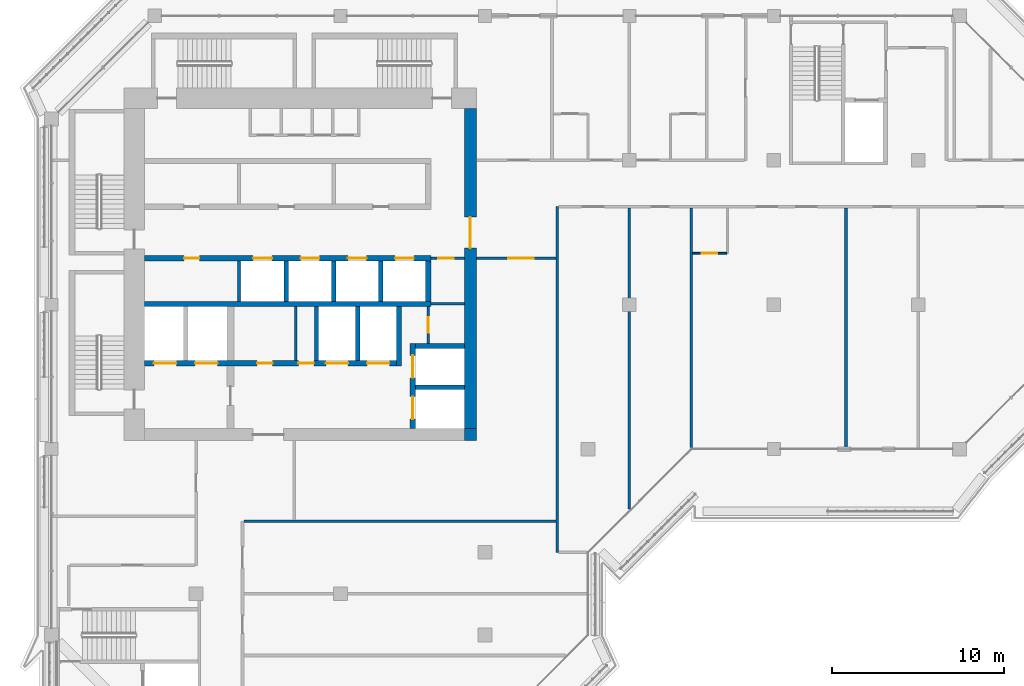
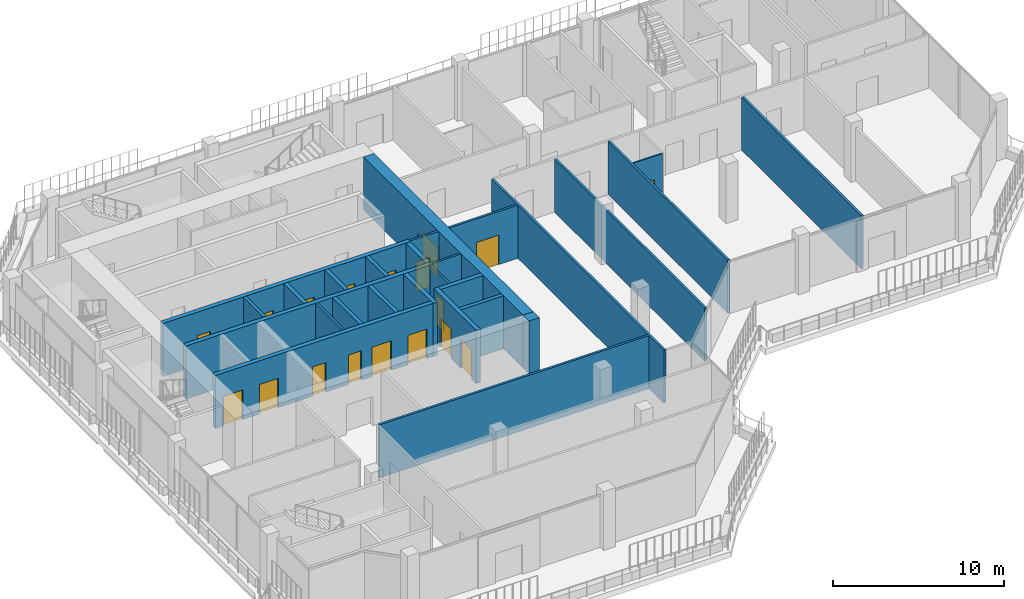
# One storey, part 10 of 20: 27 walls, 18 doors, 18 openings.
"""IFC4 building model written with IfcOpenShell, lengths in metres."""

from ifc_helpers import new_model, si_unit, direction, frame, frame_2d, origin, place, context, subcontext, project, spatial, rectangle, extrude, material, layer, layer_set, type_object, element, fill, save


model = new_model("IFC4")

# Units and contexts
model_context = context("Model", 3, precision=1e-05, world=origin(), true_north=direction((0.0, 1.0)))
body_context = subcontext(model_context, "Body", "Model", "MODEL_VIEW")
ifc_project = project(units=[si_unit("LENGTHUNIT", "METRE"), si_unit("AREAUNIT", "SQUARE_METRE"), si_unit("VOLUMEUNIT", "CUBIC_METRE"), si_unit("PLANEANGLEUNIT", "RADIAN"), si_unit("MASSUNIT", "GRAM", prefix="KILO")], contexts=[model_context])

# Site, building, storey
site_placement = place(None, origin())
site = spatial("IfcSite", under=ifc_project, at=site_placement, CompositionType="ELEMENT")
building_placement = place(site_placement, origin())
building = spatial("IfcBuilding", under=site, at=building_placement, Name="Kawkab Arch Medical Tower", CompositionType="ELEMENT")
storey_placement = place(building_placement, frame((0.0, 0.0, 328.0)))
storey = spatial("IfcBuildingStorey", under=building, at=storey_placement, Name="L76", CompositionType="ELEMENT", Elevation=328.0)

# Wall, opening, door
ifc_material_1 = material(Name="Concrete C50/60", Category="concrete")
ifc_layer_1 = layer(ifc_material_1, 0.699951171875)
ifc_layer_set_1 = layer_set([ifc_layer_1], Name="Concrete C50/60")
wall_type_1 = type_object("IfcWallType", Name="Core ring wall 700 C50/60", PredefinedType="SHEAR", material=ifc_layer_set_1)
wall_1_placement = place(storey_placement, frame((24.35009765625, -24.0, 0.0), z_axis=(0.0, 0.0, 1.0), x_axis=(0.0, 1.0, 0.0)))
wall_1 = element("IfcWall", 1, at=wall_1_placement, inside=storey, type_object=wall_type_1, Name="L76 core wall", PredefinedType="SHEAR", context=body_context, shape_type="SweptSolid", body=[
    extrude(rectangle(XDim=18.60009765625, YDim=0.699951171875, at=frame_2d((9.300048828125, 0.0))), origin(), (0.0, 0.0, 1.0), 3.780029296875),
])
opening_1_placement = place(wall_1_placement, frame((10.5, 0.0, 0.0)))
opening_1 = element("IfcOpeningElement", 2, at=opening_1_placement, cuts=wall_1, Name="Opening PD", PredefinedType="OPENING", context=body_context, shape_type="SweptSolid", body=[
    extrude(rectangle(XDim=1.800048828125, YDim=2.10009765625, at=frame_2d((0.89990234375, 1.050048828125))), frame((0.0, 0.35986328125, 0.0), z_axis=(0.0, -1.0, 0.0), x_axis=(1.0, 0.0, 0.0)), (0.0, 0.0, 1.0), 0.719970703125),
])
ifc_material_2 = material(Name="Hollow metal fire door leaf")
door_type_1 = type_object("IfcDoorType", Name="Core entrance doors 1800", OperationType="DOUBLE_DOOR_SINGLE_SWING", PredefinedType="DOOR", material=ifc_material_2)
door_1_placement = place(opening_1_placement, origin())
door_1 = element("IfcDoor", 3, at=door_1_placement, inside=storey, type_object=door_type_1, Name="L76 East entrance doors", OperationType="DOUBLE_DOOR_SINGLE_SWING", OverallHeight=2.10009765625, OverallWidth=1.800048828125, PredefinedType="DOOR", context=body_context, shape_type="SweptSolid", body=[
    extrude(rectangle(XDim=1.800048828125, YDim=2.10009765625, at=frame_2d((0.89990234375, 1.050048828125))), frame((0.0, 0.02490234375, 0.0), z_axis=(0.0, -1.0, 0.0), x_axis=(1.0, 0.0, 0.0)), (0.0, 0.0, 1.0), 0.050048828125),
])
fill(opening_1, door_1)

# Wall
wall_2_placement = place(storey_placement, frame((24.35009765625, -24.699951171875, 0.0), z_axis=(0.0, 0.0, 1.0), x_axis=(0.0, 1.0, 0.0)))
element("IfcWall", 4, at=wall_2_placement, inside=storey, type_object=wall_type_1, Name="L76 core wall", PredefinedType="SHEAR", context=body_context, shape_type="SweptSolid", body=[
    extrude(rectangle(XDim=0.699951171875, YDim=0.699951171875, at=frame_2d((0.35009765625, 0.0))), origin(), (0.0, 0.0, 1.0), 3.780029296875),
])

# Wall, opening, door
ifc_material_3 = material(Name="Gypsum board on steel studs", Category="steel")
ifc_layer_2 = layer(ifc_material_3, 0.14990234375)
ifc_layer_set_2 = layer_set([ifc_layer_2], Name="Gypsum board on steel studs")
wall_type_2 = type_object("IfcWallType", Name="Core room partition 150", PredefinedType="PARTITIONING", material=ifc_layer_set_2)
wall_3_placement = place(storey_placement, frame((21.89990234375, -19.050048828125, 0.0), z_axis=(0.0, 0.0, 1.0), x_axis=(0.0, 1.0, 0.0)))
wall_3 = element("IfcWall", 5, at=wall_3_placement, inside=storey, type_object=wall_type_2, Name="L76 core room partition", PredefinedType="PARTITIONING", context=body_context, shape_type="SweptSolid", body=[
    extrude(rectangle(XDim=2.150146484375, YDim=0.14990234375, at=frame_2d((1.0751953125, 0.0))), origin(), (0.0, 0.0, 1.0), 3.780029296875),
])
opening_2_placement = place(wall_3_placement, frame((0.625, 0.0, 0.0)))
opening_2 = element("IfcOpeningElement", 6, at=opening_2_placement, cuts=wall_3, Name="Opening RD", PredefinedType="OPENING", context=body_context, shape_type="SweptSolid", body=[
    extrude(rectangle(XDim=0.89990234375, YDim=2.10009765625, at=frame_2d((0.449951171875, 1.050048828125))), frame((0.0, 0.0849609375, 0.0), z_axis=(0.0, -1.0, 0.0), x_axis=(1.0, 0.0, 0.0)), (0.0, 0.0, 1.0), 0.169921875),
])
ifc_material_4 = material(Name="Hollow metal fire door leaf")
door_type_2 = type_object("IfcDoorType", Name="Core room door 900", OperationType="SINGLE_SWING_LEFT", PredefinedType="DOOR", material=ifc_material_4)
door_2_placement = place(opening_2_placement, origin())
door_2 = element("IfcDoor", 7, at=door_2_placement, inside=storey, type_object=door_type_2, Name="L76 Staff WC door", OperationType="SINGLE_SWING_LEFT", OverallHeight=2.10009765625, OverallWidth=0.89990234375, PredefinedType="DOOR", context=body_context, shape_type="SweptSolid", body=[
    extrude(rectangle(XDim=0.89990234375, YDim=2.10009765625, at=frame_2d((0.449951171875, 1.050048828125))), frame((0.0, 0.02490234375, 0.0), z_axis=(0.0, -1.0, 0.0), x_axis=(1.0, 0.0, 0.0)), (0.0, 0.0, 1.0), 0.050048828125),
])
fill(opening_2, door_2)

# Wall
wall_4_placement = place(storey_placement, frame((22.050048828125, -16.75, 0.0), z_axis=(0.0, 0.0, 1.0), x_axis=(1.0, 0.0, 0.0)))
element("IfcWall", 8, at=wall_4_placement, inside=storey, type_object=wall_type_2, Name="L76 core room partition", PredefinedType="PARTITIONING", context=body_context, shape_type="SweptSolid", body=[
    extrude(rectangle(XDim=1.949951171875, YDim=0.14990234375, at=frame_2d((0.97509765625, 0.0))), origin(), (0.0, 0.0, 1.0), 3.780029296875),
])

# Wall, opening, door
wall_5_placement = place(storey_placement, frame((22.050048828125, -14.10009765625, 0.0), z_axis=(0.0, 0.0, 1.0), x_axis=(1.0, 0.0, 0.0)))
wall_5 = element("IfcWall", 9, at=wall_5_placement, inside=storey, type_object=wall_type_2, Name="L76 core room partition", PredefinedType="PARTITIONING", context=body_context, shape_type="SweptSolid", body=[
    extrude(rectangle(XDim=1.949951171875, YDim=0.14990234375, at=frame_2d((0.97509765625, 0.0))), origin(), (0.0, 0.0, 1.0), 3.780029296875),
])
opening_3_placement = place(wall_5_placement, frame((0.449951171875, 0.0, 0.0)))
opening_3 = element("IfcOpeningElement", 10, at=opening_3_placement, cuts=wall_5, Name="Opening RD", PredefinedType="OPENING", context=body_context, shape_type="SweptSolid", body=[
    extrude(rectangle(XDim=0.89990234375, YDim=2.10009765625, at=frame_2d((0.449951171875, 1.050048828125))), frame((0.0, 0.0849609375, 0.0), z_axis=(0.0, -1.0, 0.0), x_axis=(1.0, 0.0, 0.0)), (0.0, 0.0, 1.0), 0.169921875),
])
door_3_placement = place(opening_3_placement, origin())
door_3 = element("IfcDoor", 11, at=door_3_placement, inside=storey, type_object=door_type_2, Name="L76 UPS room door", OperationType="SINGLE_SWING_LEFT", OverallHeight=2.10009765625, OverallWidth=0.89990234375, PredefinedType="DOOR", context=body_context, shape_type="SweptSolid", body=[
    extrude(rectangle(XDim=0.89990234375, YDim=2.10009765625, at=frame_2d((0.449951171875, 1.050048828125))), frame((0.0, 0.02490234375, 0.0), z_axis=(0.0, -1.0, 0.0), x_axis=(1.0, 0.0, 0.0)), (0.0, 0.0, 1.0), 0.050048828125),
])
fill(opening_3, door_3)

# Walls
wall_6_placement = place(storey_placement, frame((14.199951171875, -20.050048828125, 0.0), z_axis=(0.0, 0.0, 1.0), x_axis=(0.0, 1.0, 0.0)))
element("IfcWall", 12, at=wall_6_placement, inside=storey, type_object=wall_type_2, Name="L76 core room partition", PredefinedType="PARTITIONING", context=body_context, shape_type="SweptSolid", body=[
    extrude(rectangle(XDim=3.150146484375, YDim=0.14990234375, at=frame_2d((1.5751953125, 0.0))), origin(), (0.0, 0.0, 1.0), 3.780029296875),
])
ifc_material_5 = material(Name="Concrete C60/75", Category="concrete")
ifc_layer_3 = layer(ifc_material_5, 0.25)
ifc_layer_set_3 = layer_set([ifc_layer_3], Name="Concrete C60/75")
wall_type_3 = type_object("IfcWallType", Name="Core shear wall 250 C60/75", PredefinedType="SHEAR", material=ifc_layer_set_3)
wall_7_placement = place(storey_placement, frame((21.14990234375, -21.60009765625, 0.0), z_axis=(0.0, 0.0, 1.0), x_axis=(1.0, 0.0, 0.0)))
element("IfcWall", 13, at=wall_7_placement, inside=storey, type_object=wall_type_3, Name="L76 core shear wall", PredefinedType="SHEAR", context=body_context, shape_type="SweptSolid", body=[
    extrude(rectangle(XDim=2.85009765625, YDim=0.25, at=frame_2d((1.425048828125, 0.0))), origin(), (0.0, 0.0, 1.0), 3.780029296875),
])
for number, where, z_axis, x_axis, name in (
    (14, (15.39990234375, -20.050048828125, 0.0), (0.0, 0.0, 1.0), (0.0, 1.0, 0.0), "L76 core shear wall"),
    (15, (17.800048828125, -20.050048828125, 0.0), (0.0, 0.0, 1.0), (0.0, 1.0, 0.0), "L76 core shear wall"),
):
    element("IfcWall", number, at=place(storey_placement, frame(where, z_axis=z_axis, x_axis=x_axis)), inside=storey, type_object=wall_type_3, Name=name, PredefinedType="SHEAR", context=body_context, shape_type="SweptSolid", body=[
        extrude(rectangle(XDim=3.150146484375, YDim=0.25, at=frame_2d((1.5751953125, 0.0))), origin(), (0.0, 0.0, 1.0), 3.780029296875),
    ])
for number, where, z_axis, x_axis, name in (
    (16, (13.64990234375, -16.60009765625, 0.0), (0.0, 0.0, 1.0), (0.0, 1.0, 0.0), "L76 core shear wall"),
    (17, (16.39990234375, -16.60009765625, 0.0), (0.0, 0.0, 1.0), (0.0, 1.0, 0.0), "L76 core shear wall"),
    (18, (19.14990234375, -16.60009765625, 0.0), (0.0, 0.0, 1.0), (0.0, 1.0, 0.0), "L76 core shear wall"),
):
    element("IfcWall", number, at=place(storey_placement, frame(where, z_axis=z_axis, x_axis=x_axis)), inside=storey, type_object=wall_type_3, Name=name, PredefinedType="SHEAR", context=body_context, shape_type="SweptSolid", body=[
        extrude(rectangle(XDim=2.35009765625, YDim=0.25, at=frame_2d((1.175048828125, 0.0))), origin(), (0.0, 0.0, 1.0), 3.780029296875),
    ])

# Wall, openings, doors
ifc_material_6 = material(Name="Concrete C60/75", Category="concrete")
ifc_layer_4 = layer(ifc_material_6, 0.300048828125)
ifc_layer_set_4 = layer_set([ifc_layer_4], Name="Concrete C60/75")
wall_type_4 = type_object("IfcWallType", Name="Core shear wall 300 C60/75", PredefinedType="SHEAR", material=ifc_layer_set_4)
wall_8_placement = place(storey_placement, frame((5.39990234375, -14.10009765625, 0.0), z_axis=(0.0, 0.0, 1.0), x_axis=(1.0, 0.0, 0.0)))
wall_8 = element("IfcWall", 19, at=wall_8_placement, inside=storey, type_object=wall_type_4, Name="L76 core shear wall", PredefinedType="SHEAR", context=body_context, shape_type="SweptSolid", body=[
    extrude(rectangle(XDim=16.650146484375, YDim=0.300048828125, at=frame_2d((8.3251953125, 0.0))), origin(), (0.0, 0.0, 1.0), 3.780029296875),
])
opening_4_placement = place(wall_8_placement, frame((6.324951171875, 0.0, 0.0)))
opening_4 = element("IfcOpeningElement", 20, at=opening_4_placement, cuts=wall_8, Name="Opening LD1", PredefinedType="OPENING", context=body_context, shape_type="SweptSolid", body=[
    extrude(rectangle(XDim=1.10009765625, YDim=2.10009765625, at=frame_2d((0.550048828125, 1.050048828125))), frame((0.0, 0.159912109375, 0.0), z_axis=(0.0, -1.0, 0.0), x_axis=(1.0, 0.0, 0.0)), (0.0, 0.0, 1.0), 0.320068359375),
])
opening_5_placement = place(wall_8_placement, frame((9.074951171875, 0.0, 0.0)))
opening_5 = element("IfcOpeningElement", 21, at=opening_5_placement, cuts=wall_8, Name="Opening LD1", PredefinedType="OPENING", context=body_context, shape_type="SweptSolid", body=[
    extrude(rectangle(XDim=1.10009765625, YDim=2.10009765625, at=frame_2d((0.550048828125, 1.050048828125))), frame((0.0, 0.159912109375, 0.0), z_axis=(0.0, -1.0, 0.0), x_axis=(1.0, 0.0, 0.0)), (0.0, 0.0, 1.0), 0.320068359375),
])
opening_6_placement = place(wall_8_placement, frame((11.824951171875, 0.0, 0.0)))
opening_6 = element("IfcOpeningElement", 22, at=opening_6_placement, cuts=wall_8, Name="Opening LD1", PredefinedType="OPENING", context=body_context, shape_type="SweptSolid", body=[
    extrude(rectangle(XDim=1.10009765625, YDim=2.10009765625, at=frame_2d((0.550048828125, 1.050048828125))), frame((0.0, 0.159912109375, 0.0), z_axis=(0.0, -1.0, 0.0), x_axis=(1.0, 0.0, 0.0)), (0.0, 0.0, 1.0), 0.320068359375),
])
opening_7_placement = place(wall_8_placement, frame((14.574951171875, 0.0, 0.0)))
opening_7 = element("IfcOpeningElement", 23, at=opening_7_placement, cuts=wall_8, Name="Opening LD1", PredefinedType="OPENING", context=body_context, shape_type="SweptSolid", body=[
    extrude(rectangle(XDim=1.10009765625, YDim=2.10009765625, at=frame_2d((0.550048828125, 1.050048828125))), frame((0.0, 0.159912109375, 0.0), z_axis=(0.0, -1.0, 0.0), x_axis=(1.0, 0.0, 0.0)), (0.0, 0.0, 1.0), 0.320068359375),
])
opening_8_placement = place(wall_8_placement, frame((2.300048828125, 0.0, 0.0)))
opening_8 = element("IfcOpeningElement", 24, at=opening_8_placement, cuts=wall_8, Name="Opening RD", PredefinedType="OPENING", context=body_context, shape_type="SweptSolid", body=[
    extrude(rectangle(XDim=0.89990234375, YDim=2.10009765625, at=frame_2d((0.449951171875, 1.050048828125))), frame((0.0, 0.159912109375, 0.0), z_axis=(0.0, -1.0, 0.0), x_axis=(1.0, 0.0, 0.0)), (0.0, 0.0, 1.0), 0.320068359375),
])
door_4_placement = place(opening_8_placement, origin())
door_4 = element("IfcDoor", 25, at=door_4_placement, inside=storey, type_object=door_type_2, Name="L76 General store door", OperationType="SINGLE_SWING_LEFT", OverallHeight=2.10009765625, OverallWidth=0.89990234375, PredefinedType="DOOR", context=body_context, shape_type="SweptSolid", body=[
    extrude(rectangle(XDim=0.89990234375, YDim=2.10009765625, at=frame_2d((0.449951171875, 1.050048828125))), frame((0.0, 0.02490234375, 0.0), z_axis=(0.0, -1.0, 0.0), x_axis=(1.0, 0.0, 0.0)), (0.0, 0.0, 1.0), 0.050048828125),
])
fill(opening_8, door_4)
ifc_material_7 = material(Name="Stainless steel lift door leaf", Category="steel")
door_type_3 = type_object("IfcDoorType", Name="Lift landing door 1100", OperationType="DOUBLE_DOOR_SLIDING", PredefinedType="DOOR", material=ifc_material_7)
door_5_placement = place(opening_4_placement, origin())
door_5 = element("IfcDoor", 26, at=door_5_placement, inside=storey, type_object=door_type_3, Name="L76 Lift landing door HP1", OperationType="DOUBLE_DOOR_SLIDING", OverallHeight=2.10009765625, OverallWidth=1.10009765625, PredefinedType="DOOR", context=body_context, shape_type="SweptSolid", body=[
    extrude(rectangle(XDim=1.10009765625, YDim=2.10009765625, at=frame_2d((0.550048828125, 1.050048828125))), frame((0.0, 0.02490234375, 0.0), z_axis=(0.0, -1.0, 0.0), x_axis=(1.0, 0.0, 0.0)), (0.0, 0.0, 1.0), 0.050048828125),
])
fill(opening_4, door_5)
door_6_placement = place(opening_5_placement, origin())
door_6 = element("IfcDoor", 27, at=door_6_placement, inside=storey, type_object=door_type_3, Name="L76 Lift landing door HP2", OperationType="DOUBLE_DOOR_SLIDING", OverallHeight=2.10009765625, OverallWidth=1.10009765625, PredefinedType="DOOR", context=body_context, shape_type="SweptSolid", body=[
    extrude(rectangle(XDim=1.10009765625, YDim=2.10009765625, at=frame_2d((0.550048828125, 1.050048828125))), frame((0.0, 0.02490234375, 0.0), z_axis=(0.0, -1.0, 0.0), x_axis=(1.0, 0.0, 0.0)), (0.0, 0.0, 1.0), 0.050048828125),
])
fill(opening_5, door_6)
door_7_placement = place(opening_6_placement, origin())
door_7 = element("IfcDoor", 28, at=door_7_placement, inside=storey, type_object=door_type_3, Name="L76 Lift landing door HP3", OperationType="DOUBLE_DOOR_SLIDING", OverallHeight=2.10009765625, OverallWidth=1.10009765625, PredefinedType="DOOR", context=body_context, shape_type="SweptSolid", body=[
    extrude(rectangle(XDim=1.10009765625, YDim=2.10009765625, at=frame_2d((0.550048828125, 1.050048828125))), frame((0.0, 0.02490234375, 0.0), z_axis=(0.0, -1.0, 0.0), x_axis=(1.0, 0.0, 0.0)), (0.0, 0.0, 1.0), 0.050048828125),
])
fill(opening_6, door_7)
door_8_placement = place(opening_7_placement, origin())
door_8 = element("IfcDoor", 29, at=door_8_placement, inside=storey, type_object=door_type_3, Name="L76 Lift landing door HP4", OperationType="DOUBLE_DOOR_SLIDING", OverallHeight=2.10009765625, OverallWidth=1.10009765625, PredefinedType="DOOR", context=body_context, shape_type="SweptSolid", body=[
    extrude(rectangle(XDim=1.10009765625, YDim=2.10009765625, at=frame_2d((0.550048828125, 1.050048828125))), frame((0.0, 0.02490234375, 0.0), z_axis=(0.0, -1.0, 0.0), x_axis=(1.0, 0.0, 0.0)), (0.0, 0.0, 1.0), 0.050048828125),
])
fill(opening_7, door_8)

# Wall
wall_9_placement = place(storey_placement, frame((5.39990234375, -16.75, 0.0), z_axis=(0.0, 0.0, 1.0), x_axis=(1.0, 0.0, 0.0)))
element("IfcWall", 30, at=wall_9_placement, inside=storey, type_object=wall_type_4, Name="L76 core shear wall", PredefinedType="SHEAR", context=body_context, shape_type="SweptSolid", body=[
    extrude(rectangle(XDim=16.650146484375, YDim=0.300048828125, at=frame_2d((8.3251953125, 0.0))), origin(), (0.0, 0.0, 1.0), 3.780029296875),
])

# Wall, openings, doors
wall_10_placement = place(storey_placement, frame((5.39990234375, -20.199951171875, 0.0), z_axis=(0.0, 0.0, 1.0), x_axis=(1.0, 0.0, 0.0)))
wall_10 = element("IfcWall", 31, at=wall_10_placement, inside=storey, type_object=wall_type_4, Name="L76 core shear wall", PredefinedType="SHEAR", context=body_context, shape_type="SweptSolid", body=[
    extrude(rectangle(XDim=14.650146484375, YDim=0.300048828125, at=frame_2d((7.3251953125, 0.0))), origin(), (0.0, 0.0, 1.0), 3.780029296875),
])
opening_9_placement = place(wall_10_placement, frame((10.550048828125, 0.0, 0.0)))
opening_9 = element("IfcOpeningElement", 32, at=opening_9_placement, cuts=wall_10, Name="Opening LD2", PredefinedType="OPENING", context=body_context, shape_type="SweptSolid", body=[
    extrude(rectangle(XDim=1.300048828125, YDim=2.10009765625, at=frame_2d((0.64990234375, 1.050048828125))), frame((0.0, 0.159912109375, 0.0), z_axis=(0.0, -1.0, 0.0), x_axis=(1.0, 0.0, 0.0)), (0.0, 0.0, 1.0), 0.320068359375),
])
opening_10_placement = place(wall_10_placement, frame((12.949951171875, 0.0, 0.0)))
opening_10 = element("IfcOpeningElement", 33, at=opening_10_placement, cuts=wall_10, Name="Opening LD2", PredefinedType="OPENING", context=body_context, shape_type="SweptSolid", body=[
    extrude(rectangle(XDim=1.300048828125, YDim=2.10009765625, at=frame_2d((0.64990234375, 1.050048828125))), frame((0.0, 0.159912109375, 0.0), z_axis=(0.0, -1.0, 0.0), x_axis=(1.0, 0.0, 0.0)), (0.0, 0.0, 1.0), 0.320068359375),
])
opening_11_placement = place(wall_10_placement, frame((0.550048828125, 0.0, 0.0)))
opening_11 = element("IfcOpeningElement", 34, at=opening_11_placement, cuts=wall_10, Name="Opening LD2", PredefinedType="OPENING", context=body_context, shape_type="SweptSolid", body=[
    extrude(rectangle(XDim=1.300048828125, YDim=2.10009765625, at=frame_2d((0.64990234375, 1.050048828125))), frame((0.0, 0.159912109375, 0.0), z_axis=(0.0, -1.0, 0.0), x_axis=(1.0, 0.0, 0.0)), (0.0, 0.0, 1.0), 0.320068359375),
])
opening_12_placement = place(wall_10_placement, frame((2.949951171875, 0.0, 0.0)))
opening_12 = element("IfcOpeningElement", 35, at=opening_12_placement, cuts=wall_10, Name="Opening LD2", PredefinedType="OPENING", context=body_context, shape_type="SweptSolid", body=[
    extrude(rectangle(XDim=1.300048828125, YDim=2.10009765625, at=frame_2d((0.64990234375, 1.050048828125))), frame((0.0, 0.159912109375, 0.0), z_axis=(0.0, -1.0, 0.0), x_axis=(1.0, 0.0, 0.0)), (0.0, 0.0, 1.0), 0.320068359375),
])
opening_13_placement = place(wall_10_placement, frame((6.550048828125, 0.0, 0.0)))
opening_13 = element("IfcOpeningElement", 36, at=opening_13_placement, cuts=wall_10, Name="Opening RD", PredefinedType="OPENING", context=body_context, shape_type="SweptSolid", body=[
    extrude(rectangle(XDim=0.89990234375, YDim=2.10009765625, at=frame_2d((0.449951171875, 1.050048828125))), frame((0.0, 0.159912109375, 0.0), z_axis=(0.0, -1.0, 0.0), x_axis=(1.0, 0.0, 0.0)), (0.0, 0.0, 1.0), 0.320068359375),
])
opening_14_placement = place(wall_10_placement, frame((8.949951171875, 0.0, 0.0)))
opening_14 = element("IfcOpeningElement", 37, at=opening_14_placement, cuts=wall_10, Name="Opening RD", PredefinedType="OPENING", context=body_context, shape_type="SweptSolid", body=[
    extrude(rectangle(XDim=0.89990234375, YDim=2.10009765625, at=frame_2d((0.449951171875, 1.050048828125))), frame((0.0, 0.159912109375, 0.0), z_axis=(0.0, -1.0, 0.0), x_axis=(1.0, 0.0, 0.0)), (0.0, 0.0, 1.0), 0.320068359375),
])
door_9_placement = place(opening_13_placement, origin())
door_9 = element("IfcDoor", 38, at=door_9_placement, inside=storey, type_object=door_type_2, Name="L76 Medication store door", OperationType="SINGLE_SWING_LEFT", OverallHeight=2.10009765625, OverallWidth=0.89990234375, PredefinedType="DOOR", context=body_context, shape_type="SweptSolid", body=[
    extrude(rectangle(XDim=0.89990234375, YDim=2.10009765625, at=frame_2d((0.449951171875, 1.050048828125))), frame((0.0, 0.02490234375, 0.0), z_axis=(0.0, -1.0, 0.0), x_axis=(1.0, 0.0, 0.0)), (0.0, 0.0, 1.0), 0.050048828125),
])
fill(opening_13, door_9)
door_10_placement = place(opening_14_placement, origin())
door_10 = element("IfcDoor", 39, at=door_10_placement, inside=storey, type_object=door_type_2, Name="L76 Clean utility room door", OperationType="SINGLE_SWING_LEFT", OverallHeight=2.10009765625, OverallWidth=0.89990234375, PredefinedType="DOOR", context=body_context, shape_type="SweptSolid", body=[
    extrude(rectangle(XDim=0.89990234375, YDim=2.10009765625, at=frame_2d((0.449951171875, 1.050048828125))), frame((0.0, 0.02490234375, 0.0), z_axis=(0.0, -1.0, 0.0), x_axis=(1.0, 0.0, 0.0)), (0.0, 0.0, 1.0), 0.050048828125),
])
fill(opening_14, door_10)
ifc_material_8 = material(Name="Stainless steel lift door leaf", Category="steel")
door_type_4 = type_object("IfcDoorType", Name="Lift landing door 1300", OperationType="DOUBLE_DOOR_SLIDING", PredefinedType="DOOR", material=ifc_material_8)
door_11_placement = place(opening_9_placement, origin())
door_11 = element("IfcDoor", 40, at=door_11_placement, inside=storey, type_object=door_type_4, Name="L76 Lift landing door BD3", OperationType="DOUBLE_DOOR_SLIDING", OverallHeight=2.10009765625, OverallWidth=1.300048828125, PredefinedType="DOOR", context=body_context, shape_type="SweptSolid", body=[
    extrude(rectangle(XDim=1.300048828125, YDim=2.10009765625, at=frame_2d((0.64990234375, 1.050048828125))), frame((0.0, 0.02490234375, 0.0), z_axis=(0.0, -1.0, 0.0), x_axis=(1.0, 0.0, 0.0)), (0.0, 0.0, 1.0), 0.050048828125),
])
fill(opening_9, door_11)
door_12_placement = place(opening_10_placement, origin())
door_12 = element("IfcDoor", 41, at=door_12_placement, inside=storey, type_object=door_type_4, Name="L76 Lift landing door BD4", OperationType="DOUBLE_DOOR_SLIDING", OverallHeight=2.10009765625, OverallWidth=1.300048828125, PredefinedType="DOOR", context=body_context, shape_type="SweptSolid", body=[
    extrude(rectangle(XDim=1.300048828125, YDim=2.10009765625, at=frame_2d((0.64990234375, 1.050048828125))), frame((0.0, 0.02490234375, 0.0), z_axis=(0.0, -1.0, 0.0), x_axis=(1.0, 0.0, 0.0)), (0.0, 0.0, 1.0), 0.050048828125),
])
fill(opening_10, door_12)
door_13_placement = place(opening_11_placement, origin())
door_13 = element("IfcDoor", 42, at=door_13_placement, inside=storey, type_object=door_type_4, Name="L76 Lift landing door FL1", OperationType="DOUBLE_DOOR_SLIDING", OverallHeight=2.10009765625, OverallWidth=1.300048828125, PredefinedType="DOOR", context=body_context, shape_type="SweptSolid", body=[
    extrude(rectangle(XDim=1.300048828125, YDim=2.10009765625, at=frame_2d((0.64990234375, 1.050048828125))), frame((0.0, 0.02490234375, 0.0), z_axis=(0.0, -1.0, 0.0), x_axis=(1.0, 0.0, 0.0)), (0.0, 0.0, 1.0), 0.050048828125),
])
fill(opening_11, door_13)
door_14_placement = place(opening_12_placement, origin())
door_14 = element("IfcDoor", 43, at=door_14_placement, inside=storey, type_object=door_type_4, Name="L76 Lift landing door FL2", OperationType="DOUBLE_DOOR_SLIDING", OverallHeight=2.10009765625, OverallWidth=1.300048828125, PredefinedType="DOOR", context=body_context, shape_type="SweptSolid", body=[
    extrude(rectangle(XDim=1.300048828125, YDim=2.10009765625, at=frame_2d((0.64990234375, 1.050048828125))), frame((0.0, 0.02490234375, 0.0), z_axis=(0.0, -1.0, 0.0), x_axis=(1.0, 0.0, 0.0)), (0.0, 0.0, 1.0), 0.050048828125),
])
fill(opening_12, door_14)

# Walls
wall_11_placement = place(storey_placement, frame((20.199951171875, -20.35009765625, 0.0), z_axis=(0.0, 0.0, 1.0), x_axis=(0.0, 1.0, 0.0)))
element("IfcWall", 44, at=wall_11_placement, inside=storey, type_object=wall_type_4, Name="L76 core shear wall", PredefinedType="SHEAR", context=body_context, shape_type="SweptSolid", body=[
    extrude(rectangle(XDim=3.4501953125, YDim=0.300048828125, at=frame_2d((1.72509765625, 0.0))), origin(), (0.0, 0.0, 1.0), 3.780029296875),
])
wall_12_placement = place(storey_placement, frame((21.89990234375, -16.60009765625, 0.0), z_axis=(0.0, 0.0, 1.0), x_axis=(0.0, 1.0, 0.0)))
element("IfcWall", 45, at=wall_12_placement, inside=storey, type_object=wall_type_4, Name="L76 core shear wall", PredefinedType="SHEAR", context=body_context, shape_type="SweptSolid", body=[
    extrude(rectangle(XDim=2.35009765625, YDim=0.300048828125, at=frame_2d((1.175048828125, 0.0))), origin(), (0.0, 0.0, 1.0), 3.780029296875),
])
wall_13_placement = place(storey_placement, frame((21.14990234375, -19.199951171875, 0.0), z_axis=(0.0, 0.0, 1.0), x_axis=(1.0, 0.0, 0.0)))
element("IfcWall", 46, at=wall_13_placement, inside=storey, type_object=wall_type_4, Name="L76 core shear wall", PredefinedType="SHEAR", context=body_context, shape_type="SweptSolid", body=[
    extrude(rectangle(XDim=2.85009765625, YDim=0.300048828125, at=frame_2d((1.425048828125, 0.0))), origin(), (0.0, 0.0, 1.0), 3.780029296875),
])

# Wall, openings, doors
wall_14_placement = place(storey_placement, frame((21.0, -24.0, 0.0), z_axis=(0.0, 0.0, 1.0), x_axis=(0.0, 1.0, 0.0)))
wall_14 = element("IfcWall", 47, at=wall_14_placement, inside=storey, type_object=wall_type_4, Name="L76 core shear wall", PredefinedType="SHEAR", context=body_context, shape_type="SweptSolid", body=[
    extrude(rectangle(XDim=4.949951171875, YDim=0.300048828125, at=frame_2d((2.47509765625, 0.0))), origin(), (0.0, 0.0, 1.0), 3.780029296875),
])
opening_15_placement = place(wall_14_placement, frame((2.949951171875, 0.0, 0.0)))
opening_15 = element("IfcOpeningElement", 48, at=opening_15_placement, cuts=wall_14, Name="Opening LD2", PredefinedType="OPENING", context=body_context, shape_type="SweptSolid", body=[
    extrude(rectangle(XDim=1.300048828125, YDim=2.10009765625, at=frame_2d((0.64990234375, 1.050048828125))), frame((0.0, 0.159912109375, 0.0), z_axis=(0.0, -1.0, 0.0), x_axis=(1.0, 0.0, 0.0)), (0.0, 0.0, 1.0), 0.320068359375),
])
opening_16_placement = place(wall_14_placement, frame((0.550048828125, 0.0, 0.0)))
opening_16 = element("IfcOpeningElement", 49, at=opening_16_placement, cuts=wall_14, Name="Opening LD2", PredefinedType="OPENING", context=body_context, shape_type="SweptSolid", body=[
    extrude(rectangle(XDim=1.300048828125, YDim=2.10009765625, at=frame_2d((0.64990234375, 1.050048828125))), frame((0.0, 0.159912109375, 0.0), z_axis=(0.0, -1.0, 0.0), x_axis=(1.0, 0.0, 0.0)), (0.0, 0.0, 1.0), 0.320068359375),
])
door_15_placement = place(opening_15_placement, origin())
door_15 = element("IfcDoor", 50, at=door_15_placement, inside=storey, type_object=door_type_4, Name="L76 Lift landing door BD1", OperationType="DOUBLE_DOOR_SLIDING", OverallHeight=2.10009765625, OverallWidth=1.300048828125, PredefinedType="DOOR", context=body_context, shape_type="SweptSolid", body=[
    extrude(rectangle(XDim=1.300048828125, YDim=2.10009765625, at=frame_2d((0.64990234375, 1.050048828125))), frame((0.0, 0.02490234375, 0.0), z_axis=(0.0, -1.0, 0.0), x_axis=(1.0, 0.0, 0.0)), (0.0, 0.0, 1.0), 0.050048828125),
])
fill(opening_15, door_15)
door_16_placement = place(opening_16_placement, origin())
door_16 = element("IfcDoor", 51, at=door_16_placement, inside=storey, type_object=door_type_4, Name="L76 Lift landing door BD2", OperationType="DOUBLE_DOOR_SLIDING", OverallHeight=2.10009765625, OverallWidth=1.300048828125, PredefinedType="DOOR", context=body_context, shape_type="SweptSolid", body=[
    extrude(rectangle(XDim=1.300048828125, YDim=2.10009765625, at=frame_2d((0.64990234375, 1.050048828125))), frame((0.0, 0.02490234375, 0.0), z_axis=(0.0, -1.0, 0.0), x_axis=(1.0, 0.0, 0.0)), (0.0, 0.0, 1.0), 0.050048828125),
])
fill(opening_16, door_16)

# Wall
ifc_material_9 = material(Name="Dense concrete blockwork", Category="masonry")
ifc_layer_5 = layer(ifc_material_9, 0.199951171875)
ifc_layer_set_5 = layer_set([ifc_layer_5], Name="Dense concrete blockwork")
wall_type_5 = type_object("IfcWallType", Name="Lift shaft partition 200", PredefinedType="PARTITIONING", material=ifc_layer_set_5)
wall_15_placement = place(storey_placement, frame((10.89990234375, -16.60009765625, 0.0), z_axis=(0.0, 0.0, 1.0), x_axis=(0.0, 1.0, 0.0)))
element("IfcWall", 52, at=wall_15_placement, inside=storey, type_object=wall_type_5, Name="L76 lift shaft partition", PredefinedType="PARTITIONING", context=body_context, shape_type="SweptSolid", body=[
    extrude(rectangle(XDim=2.35009765625, YDim=0.199951171875, at=frame_2d((1.175048828125, 0.0))), origin(), (0.0, 0.0, 1.0), 3.780029296875),
])

# Wall, opening, door
ifc_material_10 = material(Name="Gypsum board partition on steel studs", Category="steel")
ifc_layer_6 = layer(ifc_material_10, 0.10009765625)
ifc_layer_set_6 = layer_set([ifc_layer_6], Name="Gypsum board partition on steel studs")
wall_type_6 = type_object("IfcWallType", Name="Partition 100", PredefinedType="PARTITIONING", material=ifc_layer_set_6)
wall_16_placement = place(storey_placement, frame((37.27490234375, -13.800048828125, 0.0), z_axis=(0.0, 0.0, 1.0), x_axis=(1.0, 0.0, 0.0)))
wall_16 = element("IfcWall", 53, at=wall_16_placement, inside=storey, type_object=wall_type_6, Name="Partition 100 w001", PredefinedType="PARTITIONING", context=body_context, shape_type="SweptSolid", body=[
    extrude(rectangle(XDim=1.97509765625, YDim=0.10009765625, at=frame_2d((0.987548828125, 0.0))), origin(), (0.0, 0.0, 1.0), 3.780029296875),
])
opening_17_placement = place(wall_16_placement, frame((0.52490234375, 0.0, 0.0)))
opening_17 = element("IfcOpeningElement", 54, at=opening_17_placement, cuts=wall_16, Name="Opening W71-006", PredefinedType="OPENING", context=body_context, shape_type="SweptSolid", body=[
    extrude(rectangle(XDim=0.89990234375, YDim=2.10009765625, at=frame_2d((0.449951171875, 1.050048828125))), frame((0.0, 0.06005859375, 0.0), z_axis=(0.0, -1.0, 0.0), x_axis=(1.0, 0.0, 0.0)), (0.0, 0.0, 1.0), 0.1201171875),
])
ifc_material_11 = material(Name="Timber door leaf", Category="wood")
door_type_5 = type_object("IfcDoorType", Name="Single door 900x2100", OperationType="NOTDEFINED", PredefinedType="DOOR", material=ifc_material_11)
door_17_placement = place(opening_17_placement, origin())
door_17 = element("IfcDoor", 55, at=door_17_placement, inside=storey, type_object=door_type_5, Name="Door W71-006", OperationType="SINGLE_SWING_RIGHT", OverallHeight=2.10009765625, OverallWidth=0.89990234375, PredefinedType="DOOR", context=body_context, shape_type="SweptSolid", body=[
    extrude(rectangle(XDim=0.89990234375, YDim=2.10009765625, at=frame_2d((0.449951171875, 1.050048828125))), frame((0.0, 0.02490234375, 0.0), z_axis=(0.0, -1.0, 0.0), x_axis=(1.0, 0.0, 0.0)), (0.0, 0.0, 1.0), 0.050048828125),
])
fill(opening_17, door_17)

# Wall
ifc_material_12 = material(Name="Gypsum board partition on steel studs, mineral wool", Category="steel")
ifc_layer_7 = layer(ifc_material_12, 0.14990234375)
ifc_layer_set_7 = layer_set([ifc_layer_7], Name="Gypsum board partition on steel studs, mineral wool")
wall_type_7 = type_object("IfcWallType", Name="Partition 150", PredefinedType="PARTITIONING", material=ifc_layer_set_7)
wall_17_placement = place(storey_placement, frame((11.175048828125, -29.39990234375, 0.0), z_axis=(0.0, 0.0, 1.0), x_axis=(1.0, 0.0, 0.0)))
element("IfcWall", 56, at=wall_17_placement, inside=storey, type_object=wall_type_7, Name="Partition 150 w011", PredefinedType="PARTITIONING", context=body_context, shape_type="SweptSolid", body=[
    extrude(rectangle(XDim=18.14990234375, YDim=0.14990234375, at=frame_2d((9.074951171875, 0.0))), origin(), (0.0, 0.0, 1.0), 3.780029296875),
])

# Wall, opening, door
wall_18_placement = place(storey_placement, frame((24.699951171875, -14.10009765625, 0.0), z_axis=(0.0, 0.0, 1.0), x_axis=(1.0, 0.0, 0.0)))
wall_18 = element("IfcWall", 57, at=wall_18_placement, inside=storey, type_object=wall_type_7, Name="Partition 150 w013", PredefinedType="PARTITIONING", context=body_context, shape_type="SweptSolid", body=[
    extrude(rectangle(XDim=4.625, YDim=0.14990234375, at=frame_2d((2.3125, 0.0))), origin(), (0.0, 0.0, 1.0), 3.780029296875),
])
opening_18_placement = place(wall_18_placement, frame((1.85009765625, 0.0, 0.0)))
opening_18 = element("IfcOpeningElement", 58, at=opening_18_placement, cuts=wall_18, Name="Opening W71-001", PredefinedType="OPENING", context=body_context, shape_type="SweptSolid", body=[
    extrude(rectangle(XDim=1.5, YDim=2.10009765625, at=frame_2d((0.75, 1.050048828125))), frame((0.0, 0.0849609375, 0.0), z_axis=(0.0, -1.0, 0.0), x_axis=(1.0, 0.0, 0.0)), (0.0, 0.0, 1.0), 0.169921875),
])
ifc_material_13 = material(Name="Hollow metal door leaf")
door_type_6 = type_object("IfcDoorType", Name="Double door 1500x2100 FD30S", OperationType="NOTDEFINED", PredefinedType="DOOR", material=ifc_material_13)
door_18_placement = place(opening_18_placement, origin())
door_18 = element("IfcDoor", 59, at=door_18_placement, inside=storey, type_object=door_type_6, Name="Door W71-001", OperationType="DOUBLE_DOOR_SINGLE_SWING", OverallHeight=2.10009765625, OverallWidth=1.5, PredefinedType="DOOR", context=body_context, shape_type="SweptSolid", body=[
    extrude(rectangle(XDim=1.5, YDim=2.10009765625, at=frame_2d((0.75, 1.050048828125))), frame((0.0, 0.02490234375, 0.0), z_axis=(0.0, -1.0, 0.0), x_axis=(1.0, 0.0, 0.0)), (0.0, 0.0, 1.0), 0.050048828125),
])
fill(opening_18, door_18)

# Walls
wall_19_placement = place(storey_placement, frame((29.39990234375, -31.197998046875, 0.0), z_axis=(0.0, 0.0, 1.0), x_axis=(0.0, 1.0, 0.0)))
element("IfcWall", 60, at=wall_19_placement, inside=storey, type_object=wall_type_7, Name="Partition 150 w024", PredefinedType="PARTITIONING", context=body_context, shape_type="SweptSolid", body=[
    extrude(rectangle(XDim=20.097900390625, YDim=0.14990234375, at=frame_2d((10.048828125, 0.0))), origin(), (0.0, 0.0, 1.0), 3.780029296875),
])
wall_20_placement = place(storey_placement, frame((33.60009765625, -28.68701171875, 0.0), z_axis=(0.0, 0.0, 1.0), x_axis=(0.0, 1.0, 0.0)))
element("IfcWall", 61, at=wall_20_placement, inside=storey, type_object=wall_type_7, Name="Partition 150 w025", PredefinedType="PARTITIONING", context=body_context, shape_type="SweptSolid", body=[
    extrude(rectangle(XDim=17.511962890625, YDim=0.14990234375, at=frame_2d((8.755859375, 0.0))), origin(), (0.0, 0.0, 1.0), 3.780029296875),
])
for number, where, z_axis, x_axis, name in (
    (62, (37.199951171875, -25.1201171875, 0.0), (0.0, 0.0, 1.0), (0.0, 1.0, 0.0), "Partition 150 w027"),
    (63, (46.199951171875, -25.1201171875, 0.0), (0.0, 0.0, 1.0), (0.0, 1.0, 0.0), "Partition 150 w031"),
):
    element("IfcWall", number, at=place(storey_placement, frame(where, z_axis=z_axis, x_axis=x_axis)), inside=storey, type_object=wall_type_7, Name=name, PredefinedType="PARTITIONING", context=body_context, shape_type="SweptSolid", body=[
        extrude(rectangle(XDim=13.945068359375, YDim=0.14990234375, at=frame_2d((6.97265625, 0.0))), origin(), (0.0, 0.0, 1.0), 3.780029296875),
    ])

save(model, "model.ifc")
